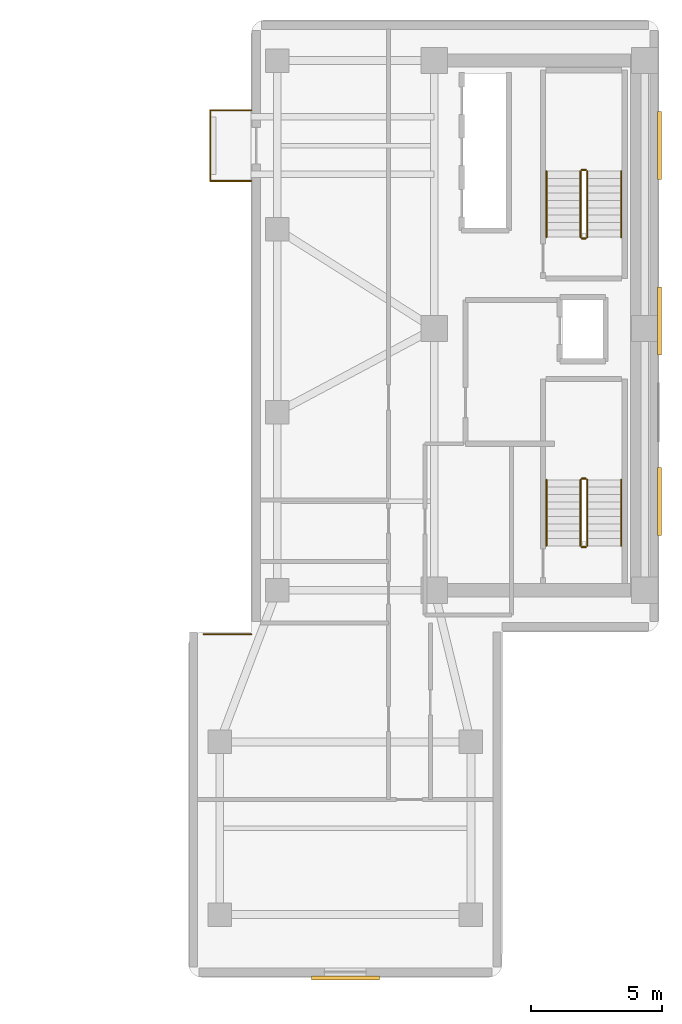
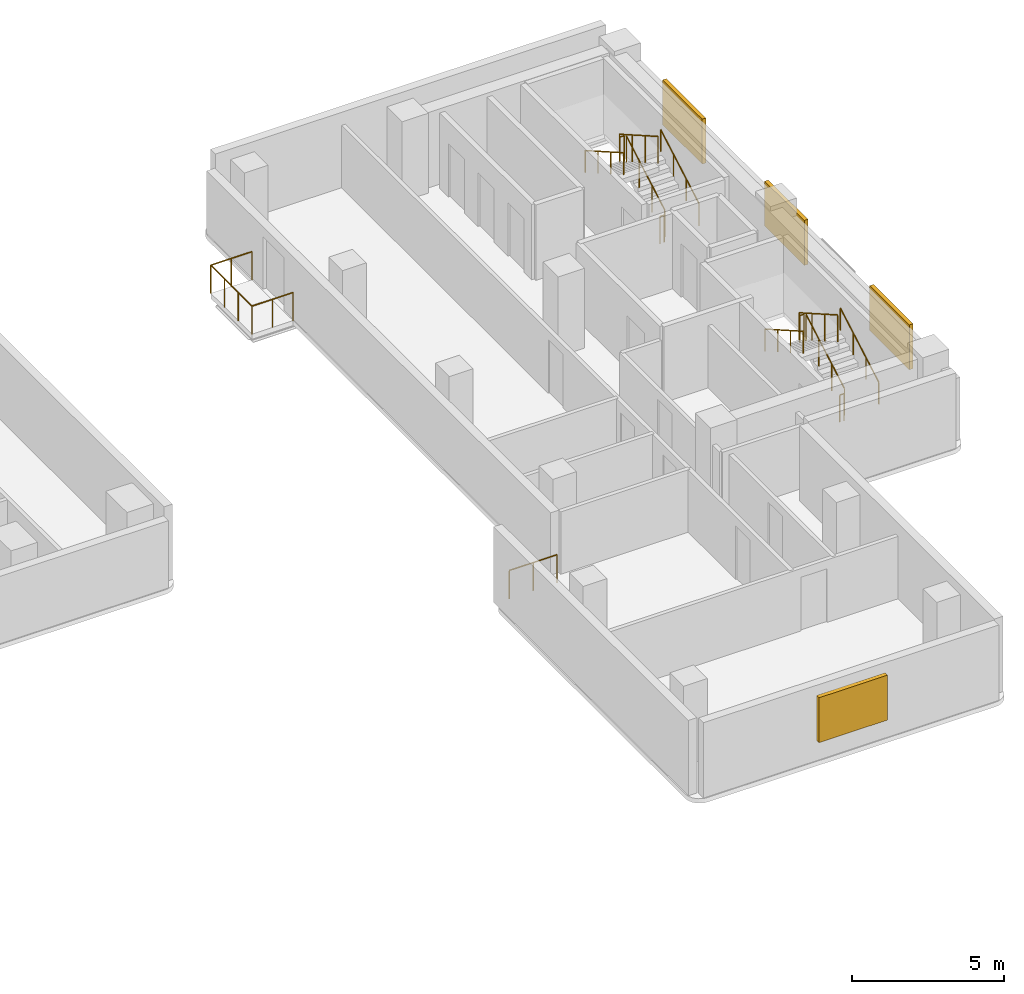
# One storey, part 15 of 15: 16 railings, 4 shading devices.
"""IFC4 building model written with IfcOpenShell, lengths in metres."""

from ifc_helpers import new_model, si_unit, direction, frame, origin, origin_2d, place, context, subcontext, project, spatial, rectangle, circle, extrude, material, layer, layer_set, type_object, element, save


model = new_model("IFC4")

# Units and contexts
model_context = context("Model", 3, precision=1e-05, world=origin(), true_north=direction((0.0, 1.0)))
body_context = subcontext(model_context, "Body", "Model", "MODEL_VIEW")
ifc_project = project(units=[si_unit("LENGTHUNIT", "METRE"), si_unit("AREAUNIT", "SQUARE_METRE"), si_unit("VOLUMEUNIT", "CUBIC_METRE"), si_unit("PLANEANGLEUNIT", "RADIAN"), si_unit("MASSUNIT", "GRAM", prefix="KILO")], contexts=[model_context])

# Site, building, storey
site_placement = place(None, origin())
site = spatial("IfcSite", under=ifc_project, at=site_placement, CompositionType="ELEMENT")
building_placement = place(site_placement, origin())
building = spatial("IfcBuilding", under=site, at=building_placement, Name="Kuzgunbayir Cultural Tower", CompositionType="ELEMENT")
storey_placement = place(building_placement, frame((0.0, 0.0, 59.60009765625)))
storey = spatial("IfcBuildingStorey", under=building, at=storey_placement, Name="L16", CompositionType="ELEMENT", Elevation=59.60009765625)

# Railings
ifc_material_1 = material(Name="Laminated Glass and Stainless Steel", Category="steel")
ifc_layer_1 = layer(ifc_material_1, 0.080078125)
ifc_layer_set_1 = layer_set([ifc_layer_1], Name="Laminated Glass and Stainless Steel")
railing_type_1 = type_object("IfcRailingType", Name="RLG-BAL-115", PredefinedType="BALUSTRADE", material=ifc_layer_set_1)
railing_1_placement = place(storey_placement, frame((57.60009765625, 37.64990234375, 0.0)))
element("IfcRailing", 1, at=railing_1_placement, inside=storey, type_object=railing_type_1, Name="L16 Companion Balcony Guard BAL-L16-T2W3 Segment 1", PredefinedType="BALUSTRADE", context=body_context, shape_type="SweptSolid", body=[
    extrude(circle(Radius=0.02392578125, at=origin_2d()), frame((0.0, 0.0, 1.1259765625), z_axis=(-1.0, 0.0, 0.0), x_axis=(0.0, -1.0, 0.0)), (0.0, 0.0, 1.0), 1.56005859375),
    extrude(circle(Radius=0.02099609375, at=origin_2d()), origin(), (0.0, 0.0, 1.0), 1.101806640625),
    extrude(circle(Radius=0.02099609375, at=origin_2d()), frame((-0.780029296875, 0.0, 0.0)), (0.0, 0.0, 1.0), 1.101806640625),
    extrude(circle(Radius=0.02099609375, at=origin_2d()), frame((-1.56005859375, 0.0, 0.0)), (0.0, 0.0, 1.0), 1.101806640625),
])
railing_2_placement = place(storey_placement, frame((56.0400390625, 37.64990234375, 0.0)))
element("IfcRailing", 2, at=railing_2_placement, inside=storey, type_object=railing_type_1, Name="L16 Companion Balcony Guard BAL-L16-T2W3 Segment 2", PredefinedType="BALUSTRADE", context=body_context, shape_type="SweptSolid", body=[
    extrude(circle(Radius=0.02392578125, at=origin_2d()), frame((0.0, 0.0, 1.1259765625), z_axis=(0.0, 1.0, 0.0), x_axis=(-1.0, 0.0, 0.0)), (0.0, 0.0, 1.0), 2.7001953125),
    extrude(circle(Radius=0.02099609375, at=origin_2d()), origin(), (0.0, 0.0, 1.0), 1.101806640625),
    extrude(circle(Radius=0.02099609375, at=origin_2d()), frame((0.0, 0.900146484375, 0.0)), (0.0, 0.0, 1.0), 1.101806640625),
    extrude(circle(Radius=0.02099609375, at=origin_2d()), frame((0.0, 1.800048828125, 0.0)), (0.0, 0.0, 1.0), 1.101806640625),
    extrude(circle(Radius=0.02099609375, at=origin_2d()), frame((0.0, 2.7001953125, 0.0)), (0.0, 0.0, 1.0), 1.101806640625),
])
railing_3_placement = place(storey_placement, frame((56.0400390625, 40.35009765625, 0.0)))
element("IfcRailing", 3, at=railing_3_placement, inside=storey, type_object=railing_type_1, Name="L16 Companion Balcony Guard BAL-L16-T2W3 Segment 3", PredefinedType="BALUSTRADE", context=body_context, shape_type="SweptSolid", body=[
    extrude(circle(Radius=0.02392578125, at=origin_2d()), frame((0.0, 0.0, 1.1259765625), z_axis=(1.0, 0.0, 0.0), x_axis=(0.0, 1.0, 0.0)), (0.0, 0.0, 1.0), 1.56005859375),
    extrude(circle(Radius=0.02099609375, at=origin_2d()), origin(), (0.0, 0.0, 1.0), 1.101806640625),
    extrude(circle(Radius=0.02099609375, at=origin_2d()), frame((0.780029296875, 0.0, 0.0)), (0.0, 0.0, 1.0), 1.101806640625),
    extrude(circle(Radius=0.02099609375, at=origin_2d()), frame((1.56005859375, 0.0, 0.0)), (0.0, 0.0, 1.0), 1.101806640625),
])
railing_4_placement = place(storey_placement, frame((55.7900390625, 20.320068359375, 0.0)))
element("IfcRailing", 4, at=railing_4_placement, inside=storey, type_object=railing_type_1, Name="L16 Perimeter Edge Guard 1", PredefinedType="BALUSTRADE", context=body_context, shape_type="SweptSolid", body=[
    extrude(circle(Radius=0.02392578125, at=origin_2d()), frame((0.0, 0.0, 1.1259765625), z_axis=(1.0, 0.0, 0.0), x_axis=(0.0, 1.0, 0.0)), (0.0, 0.0, 1.0), 1.81005859375),
    extrude(circle(Radius=0.02099609375, at=origin_2d()), origin(), (0.0, 0.0, 1.0), 1.101806640625),
    extrude(circle(Radius=0.02099609375, at=origin_2d()), frame((0.905029296875, 0.0, 0.0)), (0.0, 0.0, 1.0), 1.101806640625),
    extrude(circle(Radius=0.02099609375, at=origin_2d()), frame((1.81005859375, 0.0, 0.0)), (0.0, 0.0, 1.0), 1.101806640625),
])
ifc_material_2 = material(Name="Brushed Stainless Steel", Category="steel")
ifc_layer_2 = layer(ifc_material_2, 0.050048828125)
ifc_layer_set_2 = layer_set([ifc_layer_2], Name="Brushed Stainless Steel")
railing_type_2 = type_object("IfcRailingType", Name="RLG-STAIR-HANDRAIL", PredefinedType="HANDRAIL", material=ifc_layer_set_2)
railing_5_placement = place(storey_placement, frame((71.75, 23.699951171875, 0.159912109375)))
element("IfcRailing", 5, at=railing_5_placement, inside=storey, type_object=railing_type_2, Name="L16 ST-3 stair handrail 1", PredefinedType="HANDRAIL", context=body_context, shape_type="SweptSolid", body=[
    extrude(circle(Radius=0.02392578125, at=origin_2d()), frame((0.0, 0.0, 0.8759765625), z_axis=(0.0, 0.868253494771, 0.496120820787), x_axis=(-1.0, 0.0, 0.0)), (0.0, 0.0, 1.0), 2.90234375),
    extrude(circle(Radius=0.02099609375, at=origin_2d()), origin(), (0.0, 0.0, 1.0), 0.851806640625),
    extrude(circle(Radius=0.02099609375, at=origin_2d()), frame((0.0, 0.840087890625, 0.47998046875)), (0.0, 0.0, 1.0), 0.851806640625),
    extrude(circle(Radius=0.02099609375, at=origin_2d()), frame((0.0, 1.679931640625, 0.9599609375)), (0.0, 0.0, 1.0), 0.851806640625),
    extrude(circle(Radius=0.02099609375, at=origin_2d()), frame((0.0, 2.52001953125, 1.43994140625)), (0.0, 0.0, 1.0), 0.851806640625),
])
railing_6_placement = place(storey_placement, frame((68.889892578125, 26.219970703125, 1.760009765625)))
element("IfcRailing", 6, at=railing_6_placement, inside=storey, type_object=railing_type_2, Name="L16 ST-3 stair handrail 2", PredefinedType="HANDRAIL", context=body_context, shape_type="SweptSolid", body=[
    extrude(circle(Radius=0.02392578125, at=origin_2d()), frame((0.0, 0.0, 0.8759765625), z_axis=(0.0, -0.868253494771, 0.496120820787), x_axis=(1.0, 0.0, 0.0)), (0.0, 0.0, 1.0), 2.90234375),
    extrude(circle(Radius=0.02099609375, at=origin_2d()), origin(), (0.0, 0.0, 1.0), 0.851806640625),
    extrude(circle(Radius=0.02099609375, at=origin_2d()), frame((0.0, -0.840087890625, 0.47998046875)), (0.0, 0.0, 1.0), 0.851806640625),
    extrude(circle(Radius=0.02099609375, at=origin_2d()), frame((0.0, -1.679931640625, 0.9599609375)), (0.0, 0.0, 1.0), 0.851806640625),
    extrude(circle(Radius=0.02099609375, at=origin_2d()), frame((0.0, -2.52001953125, 1.43994140625)), (0.0, 0.0, 1.0), 0.851806640625),
])
railing_7_placement = place(storey_placement, frame((71.75, 35.5, 0.159912109375)))
element("IfcRailing", 7, at=railing_7_placement, inside=storey, type_object=railing_type_2, Name="L16 ST-4 stair handrail 1", PredefinedType="HANDRAIL", context=body_context, shape_type="SweptSolid", body=[
    extrude(circle(Radius=0.02392578125, at=origin_2d()), frame((0.0, 0.0, 0.8759765625), z_axis=(0.0, 0.868253494771, 0.496120820787), x_axis=(-1.0, 0.0, 0.0)), (0.0, 0.0, 1.0), 2.90234375),
    extrude(circle(Radius=0.02099609375, at=origin_2d()), origin(), (0.0, 0.0, 1.0), 0.851806640625),
    extrude(circle(Radius=0.02099609375, at=origin_2d()), frame((0.0, 0.840087890625, 0.47998046875)), (0.0, 0.0, 1.0), 0.851806640625),
    extrude(circle(Radius=0.02099609375, at=origin_2d()), frame((0.0, 1.679931640625, 0.9599609375)), (0.0, 0.0, 1.0), 0.851806640625),
    extrude(circle(Radius=0.02099609375, at=origin_2d()), frame((0.0, 2.52001953125, 1.43994140625)), (0.0, 0.0, 1.0), 0.851806640625),
])
railing_8_placement = place(storey_placement, frame((68.889892578125, 38.02001953125, 1.760009765625)))
element("IfcRailing", 8, at=railing_8_placement, inside=storey, type_object=railing_type_2, Name="L16 ST-4 stair handrail 2", PredefinedType="HANDRAIL", context=body_context, shape_type="SweptSolid", body=[
    extrude(circle(Radius=0.02392578125, at=origin_2d()), frame((0.0, 0.0, 0.8759765625), z_axis=(0.0, -0.868253494771, 0.496120820787), x_axis=(1.0, 0.0, 0.0)), (0.0, 0.0, 1.0), 2.90234375),
    extrude(circle(Radius=0.02099609375, at=origin_2d()), origin(), (0.0, 0.0, 1.0), 0.851806640625),
    extrude(circle(Radius=0.02099609375, at=origin_2d()), frame((0.0, -0.840087890625, 0.47998046875)), (0.0, 0.0, 1.0), 0.851806640625),
    extrude(circle(Radius=0.02099609375, at=origin_2d()), frame((0.0, -1.679931640625, 0.9599609375)), (0.0, 0.0, 1.0), 0.851806640625),
    extrude(circle(Radius=0.02099609375, at=origin_2d()), frame((0.0, -2.52001953125, 1.43994140625)), (0.0, 0.0, 1.0), 0.851806640625),
])
ifc_material_3 = material(Name="Painted Steel Balustrade", Category="steel")
ifc_layer_3 = layer(ifc_material_3, 0.06005859375)
ifc_layer_set_3 = layer_set([ifc_layer_3], Name="Painted Steel Balustrade")
railing_type_3 = type_object("IfcRailingType", Name="RLG-WELL-GUARD", PredefinedType="GUARDRAIL", material=ifc_layer_set_3)
railing_9_placement = place(storey_placement, frame((70.449951171875, 23.699951171875, 0.159912109375)))
element("IfcRailing", 9, at=railing_9_placement, inside=storey, type_object=railing_type_3, Name="L16 ST-3 stair guard 1", PredefinedType="GUARDRAIL", context=body_context, shape_type="SweptSolid", body=[
    extrude(circle(Radius=0.02392578125, at=origin_2d()), frame((0.0, 0.0, 1.076171875), z_axis=(0.0, 0.868253494771, 0.496120820787), x_axis=(-1.0, 0.0, 0.0)), (0.0, 0.0, 1.0), 2.90234375),
    extrude(circle(Radius=0.02099609375, at=origin_2d()), origin(), (0.0, 0.0, 1.0), 1.052001953125),
    extrude(circle(Radius=0.02099609375, at=origin_2d()), frame((0.0, 0.840087890625, 0.47998046875)), (0.0, 0.0, 1.0), 1.052001953125),
    extrude(circle(Radius=0.02099609375, at=origin_2d()), frame((0.0, 1.679931640625, 0.9599609375)), (0.0, 0.0, 1.0), 1.052001953125),
    extrude(circle(Radius=0.02099609375, at=origin_2d()), frame((0.0, 2.52001953125, 1.43994140625)), (0.0, 0.0, 1.0), 1.052001953125),
])
railing_10_placement = place(storey_placement, frame((70.39990234375, 26.27001953125, 1.599853515625)))
element("IfcRailing", 10, at=railing_10_placement, inside=storey, type_object=railing_type_3, Name="L16 ST-3 stair guard 2", PredefinedType="GUARDRAIL", context=body_context, shape_type="SweptSolid", body=[
    extrude(circle(Radius=0.02392578125, at=origin_2d()), frame((0.0, 0.0, 1.076171875), z_axis=(-1.0, 0.0, 0.0), x_axis=(0.0, -1.0, 0.0)), (0.0, 0.0, 1.0), 0.159912109375),
    extrude(circle(Radius=0.02099609375, at=origin_2d()), origin(), (0.0, 0.0, 1.0), 1.052001953125),
    extrude(circle(Radius=0.02099609375, at=origin_2d()), frame((-0.159912109375, 0.0, 0.0)), (0.0, 0.0, 1.0), 1.052001953125),
])
railing_11_placement = place(storey_placement, frame((70.18994140625, 26.219970703125, 1.760009765625)))
element("IfcRailing", 11, at=railing_11_placement, inside=storey, type_object=railing_type_3, Name="L16 ST-3 stair guard 3", PredefinedType="GUARDRAIL", context=body_context, shape_type="SweptSolid", body=[
    extrude(circle(Radius=0.02392578125, at=origin_2d()), frame((0.0, 0.0, 1.076171875), z_axis=(0.0, -0.868253494771, 0.496120820787), x_axis=(1.0, 0.0, 0.0)), (0.0, 0.0, 1.0), 2.90234375),
    extrude(circle(Radius=0.02099609375, at=origin_2d()), origin(), (0.0, 0.0, 1.0), 1.052001953125),
    extrude(circle(Radius=0.02099609375, at=origin_2d()), frame((0.0, -0.840087890625, 0.47998046875)), (0.0, 0.0, 1.0), 1.052001953125),
    extrude(circle(Radius=0.02099609375, at=origin_2d()), frame((0.0, -1.679931640625, 0.9599609375)), (0.0, 0.0, 1.0), 1.052001953125),
    extrude(circle(Radius=0.02099609375, at=origin_2d()), frame((0.0, -2.52001953125, 1.43994140625)), (0.0, 0.0, 1.0), 1.052001953125),
])
railing_12_placement = place(storey_placement, frame((70.39990234375, 23.64990234375, 0.0)))
element("IfcRailing", 12, at=railing_12_placement, inside=storey, type_object=railing_type_3, Name="L16 ST-3 stair guard 4", PredefinedType="GUARDRAIL", context=body_context, shape_type="SweptSolid", body=[
    extrude(circle(Radius=0.02392578125, at=origin_2d()), frame((0.0, 0.0, 1.076171875), z_axis=(-1.0, 0.0, 0.0), x_axis=(0.0, -1.0, 0.0)), (0.0, 0.0, 1.0), 0.159912109375),
    extrude(circle(Radius=0.02099609375, at=origin_2d()), origin(), (0.0, 0.0, 1.0), 1.052001953125),
    extrude(circle(Radius=0.02099609375, at=origin_2d()), frame((-0.159912109375, 0.0, 0.0)), (0.0, 0.0, 1.0), 1.052001953125),
])
railing_13_placement = place(storey_placement, frame((70.449951171875, 35.5, 0.159912109375)))
element("IfcRailing", 13, at=railing_13_placement, inside=storey, type_object=railing_type_3, Name="L16 ST-4 stair guard 1", PredefinedType="GUARDRAIL", context=body_context, shape_type="SweptSolid", body=[
    extrude(circle(Radius=0.02392578125, at=origin_2d()), frame((0.0, 0.0, 1.076171875), z_axis=(0.0, 0.868253494771, 0.496120820787), x_axis=(-1.0, 0.0, 0.0)), (0.0, 0.0, 1.0), 2.90234375),
    extrude(circle(Radius=0.02099609375, at=origin_2d()), origin(), (0.0, 0.0, 1.0), 1.052001953125),
    extrude(circle(Radius=0.02099609375, at=origin_2d()), frame((0.0, 0.840087890625, 0.47998046875)), (0.0, 0.0, 1.0), 1.052001953125),
    extrude(circle(Radius=0.02099609375, at=origin_2d()), frame((0.0, 1.679931640625, 0.9599609375)), (0.0, 0.0, 1.0), 1.052001953125),
    extrude(circle(Radius=0.02099609375, at=origin_2d()), frame((0.0, 2.52001953125, 1.43994140625)), (0.0, 0.0, 1.0), 1.052001953125),
])
railing_14_placement = place(storey_placement, frame((70.39990234375, 38.070068359375, 1.599853515625)))
element("IfcRailing", 14, at=railing_14_placement, inside=storey, type_object=railing_type_3, Name="L16 ST-4 stair guard 2", PredefinedType="GUARDRAIL", context=body_context, shape_type="SweptSolid", body=[
    extrude(circle(Radius=0.02392578125, at=origin_2d()), frame((0.0, 0.0, 1.076171875), z_axis=(-1.0, 0.0, 0.0), x_axis=(0.0, -1.0, 0.0)), (0.0, 0.0, 1.0), 0.159912109375),
    extrude(circle(Radius=0.02099609375, at=origin_2d()), origin(), (0.0, 0.0, 1.0), 1.052001953125),
    extrude(circle(Radius=0.02099609375, at=origin_2d()), frame((-0.159912109375, 0.0, 0.0)), (0.0, 0.0, 1.0), 1.052001953125),
])
railing_15_placement = place(storey_placement, frame((70.18994140625, 38.02001953125, 1.760009765625)))
element("IfcRailing", 15, at=railing_15_placement, inside=storey, type_object=railing_type_3, Name="L16 ST-4 stair guard 3", PredefinedType="GUARDRAIL", context=body_context, shape_type="SweptSolid", body=[
    extrude(circle(Radius=0.02392578125, at=origin_2d()), frame((0.0, 0.0, 1.076171875), z_axis=(0.0, -0.868253494771, 0.496120820787), x_axis=(1.0, 0.0, 0.0)), (0.0, 0.0, 1.0), 2.90234375),
    extrude(circle(Radius=0.02099609375, at=origin_2d()), origin(), (0.0, 0.0, 1.0), 1.052001953125),
    extrude(circle(Radius=0.02099609375, at=origin_2d()), frame((0.0, -0.840087890625, 0.47998046875)), (0.0, 0.0, 1.0), 1.052001953125),
    extrude(circle(Radius=0.02099609375, at=origin_2d()), frame((0.0, -1.679931640625, 0.9599609375)), (0.0, 0.0, 1.0), 1.052001953125),
    extrude(circle(Radius=0.02099609375, at=origin_2d()), frame((0.0, -2.52001953125, 1.43994140625)), (0.0, 0.0, 1.0), 1.052001953125),
])
railing_16_placement = place(storey_placement, frame((70.39990234375, 35.449951171875, 0.0)))
element("IfcRailing", 16, at=railing_16_placement, inside=storey, type_object=railing_type_3, Name="L16 ST-4 stair guard 4", PredefinedType="GUARDRAIL", context=body_context, shape_type="SweptSolid", body=[
    extrude(circle(Radius=0.02392578125, at=origin_2d()), frame((0.0, 0.0, 1.076171875), z_axis=(-1.0, 0.0, 0.0), x_axis=(0.0, -1.0, 0.0)), (0.0, 0.0, 1.0), 0.159912109375),
    extrude(circle(Radius=0.02099609375, at=origin_2d()), origin(), (0.0, 0.0, 1.0), 1.052001953125),
    extrude(circle(Radius=0.02099609375, at=origin_2d()), frame((-0.159912109375, 0.0, 0.0)), (0.0, 0.0, 1.0), 1.052001953125),
])

# Shading devices
ifc_material_4 = material(Name="Perforated Bronze-Anodised Aluminium", Category="aluminium")
shading_device_type_1 = type_object("IfcShadingDeviceType", Name="SHD-SOLAR-BRONZE", PredefinedType="JALOUSIE", material=ifc_material_4)
for number, where, z_axis, x_axis, name in (
    (17, (73.2099609375, 25.39990234375, 0.7998046875), (0.0, 0.0, 1.0), (1.0, 0.0, 0.0), "L16 Companion East Bronze Solar Screen 25"),
    (18, (73.2099609375, 32.300048828125, 0.7998046875), (0.0, 0.0, 1.0), (1.0, 0.0, 0.0), "L16 Companion East Bronze Solar Screen 32"),
    (19, (73.2099609375, 39.0, 0.7998046875), (0.0, 0.0, 1.0), (1.0, 0.0, 0.0), "L16 Companion East Bronze Solar Screen 39"),
):
    element("IfcShadingDevice", number, at=place(storey_placement, frame(where, z_axis=z_axis, x_axis=x_axis)), inside=storey, type_object=shading_device_type_1, Name=name, PredefinedType="JALOUSIE", context=body_context, shape_type="SweptSolid", body=[
        extrude(rectangle(XDim=0.139892578125, YDim=2.60009765625, at=origin_2d()), origin(), (0.0, 0.0, 1.0), 1.800048828125),
    ])
ifc_material_5 = material(Name="Warm Terracotta Ceramic Baguette", Category="masonry")
shading_device_type_2 = type_object("IfcShadingDeviceType", Name="SHD-SOLAR-CERAMIC", PredefinedType="SHUTTER", material=ifc_material_5)
shading_device_placement = place(storey_placement, frame((61.199951171875, 7.179931640625, 0.7998046875), z_axis=(0.0, 0.0, 1.0), x_axis=(1.0, 0.0, 0.0)))
element("IfcShadingDevice", 20, at=shading_device_placement, inside=storey, type_object=shading_device_type_2, Name="L16 Companion Ceramic Solar Screen S1", PredefinedType="SHUTTER", context=body_context, shape_type="SweptSolid", body=[
    extrude(rectangle(XDim=2.60009765625, YDim=0.159912109375, at=origin_2d()), origin(), (0.0, 0.0, 1.0), 1.800048828125),
])

save(model, "model.ifc")
